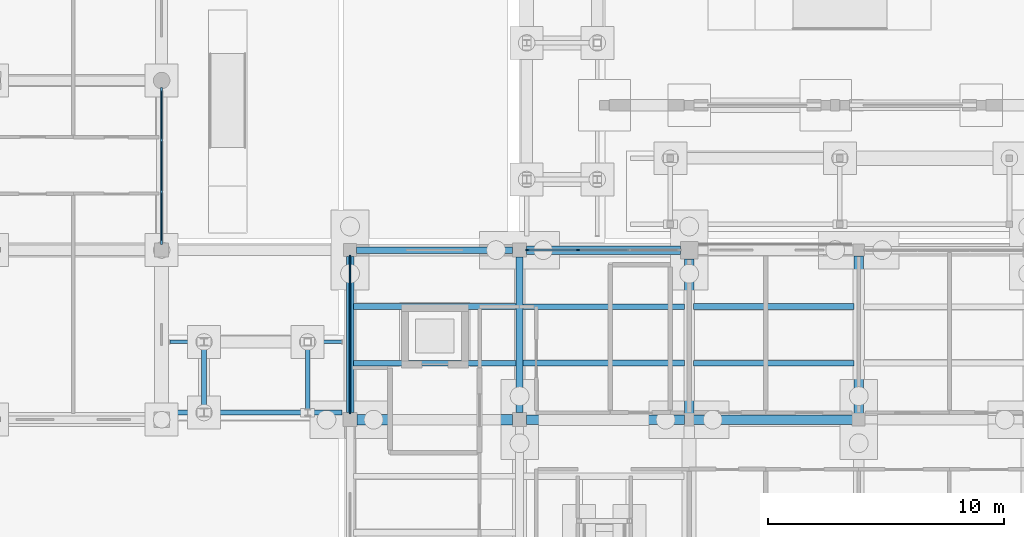
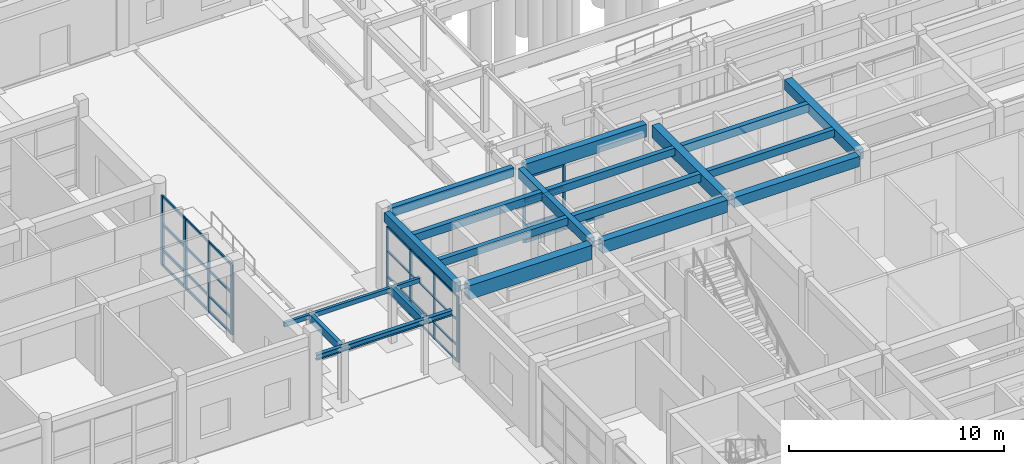
# One storey, part 37 of 143: 39 members, 19 beams, 3 elements without a shape of their own.
"""IFC4 building model written with IfcOpenShell, lengths in metres."""

import ifcopenshell
import ifcopenshell.guid

model = None  # the IFC model being written
_history = None  # IfcOwnerHistory: only IFC2X3 demands one
_inside = {}  # id of a spatial element -> (the spatial element, [elements in it])
_under = {}  # id of a project, library or spatial element -> (it, [spatial elements below it])
_declared = {}  # id of a project -> (the project, [libraries it declares])
_typed = {}  # id of a type object -> (the type object, [elements of that type])
_made_of = {}  # id of a material, layer set ... -> (it, [elements and type objects made of it])


def new_model(schema):
    """Start an empty IFC model of exactly this schema.

    Asked for "IFC4X3", IfcOpenShell would pick the latest addendum, in which some entities
    have other attributes; the version numbers below select the first issue.
    IFC2X3 requires an IfcOwnerHistory on every rooted entity: one is made here for all.
    """
    global model, _history
    if schema == "IFC4X3":
        model = ifcopenshell.file(schema_version=(4, 3, 0, 0))
    else:
        model = ifcopenshell.file(schema=schema)
    _inside.clear()
    _under.clear()
    _declared.clear()
    _typed.clear()
    _made_of.clear()
    _history = None
    if model.schema == "IFC2X3":
        org = make("IfcOrganization", Name="unknown")
        user = make(
            "IfcPersonAndOrganization",
            ThePerson=make("IfcPerson", FamilyName="unknown"),
            TheOrganization=org,
        )
        app = make(
            "IfcApplication",
            ApplicationDeveloper=org,
            Version="unknown",
            ApplicationFullName="unknown",
            ApplicationIdentifier="unknown",
        )
        _history = make(
            "IfcOwnerHistory",
            OwningUser=user,
            OwningApplication=app,
            ChangeAction="ADDED",
            CreationDate=0,
        )
    return model


def make(cls, **values):
    """One entity of the class cls with the attributes given. An attribute that is None is left unset."""
    return model.create_entity(
        cls, **{name: value for name, value in values.items() if value is not None}
    )


def rooted(cls, **values):
    """An entity with a GlobalId (a new one), such as an element, a storey or a relation."""
    return make(cls, GlobalId=ifcopenshell.guid.new(), OwnerHistory=_history, **values)


def si_unit(unit_type, name, prefix=None):
    """IfcSIUnit, for example si_unit("LENGTHUNIT", "METRE", prefix="MILLI")."""
    return make("IfcSIUnit", UnitType=unit_type, Prefix=prefix, Name=name)


def assignment(units):
    """IfcUnitAssignment: the units of a project."""
    return None if units is None else make("IfcUnitAssignment", Units=units)


def point(xyz):
    """IfcCartesianPoint."""
    return None if xyz is None else make("IfcCartesianPoint", Coordinates=xyz)


def direction(xyz):
    """IfcDirection."""
    return None if xyz is None else make("IfcDirection", DirectionRatios=xyz)


def frame(location, z_axis=None, x_axis=None):
    """IfcAxis2Placement3D, a coordinate frame: its origin and axes. An axis left out is left unset."""
    return make(
        "IfcAxis2Placement3D",
        Location=point(location),
        Axis=direction(z_axis),
        RefDirection=direction(x_axis),
    )


def frame_2d(location, x_axis=None):
    """IfcAxis2Placement2D, a coordinate frame in the plane: its origin and x axis."""
    return make(
        "IfcAxis2Placement2D", Location=point(location), RefDirection=direction(x_axis)
    )


def origin():
    """The frame at (0, 0, 0) with its axes left unset."""
    return frame((0.0, 0.0, 0.0))


def origin_2d():
    """The frame at (0, 0) in the plane with its x axis left unset."""
    return frame_2d((0.0, 0.0))


def place(relative_to, where):
    """IfcLocalPlacement: puts the frame where relative to a parent placement (None: the world)."""
    return make(
        "IfcLocalPlacement", PlacementRelTo=relative_to, RelativePlacement=where
    )


def context(
    kind, dimensions, precision=None, world=None, true_north=None, identifier=None
):
    """IfcGeometricRepresentationContext, for example the 3D "Model" context."""
    return make(
        "IfcGeometricRepresentationContext",
        ContextIdentifier=identifier,
        ContextType=kind,
        CoordinateSpaceDimension=dimensions,
        Precision=precision,
        WorldCoordinateSystem=world,
        TrueNorth=true_north,
    )


def subcontext(parent, identifier, kind, view, scale=None):
    """IfcGeometricRepresentationSubContext, for example "Body" below "Model"."""
    return make(
        "IfcGeometricRepresentationSubContext",
        ContextIdentifier=identifier,
        ContextType=kind,
        ParentContext=parent,
        TargetScale=scale,
        TargetView=view,
    )


def project(units=None, contexts=None):
    """IfcProject with its units and contexts."""
    return rooted(
        "IfcProject",
        Name="project",
        RepresentationContexts=contexts,
        UnitsInContext=assignment(units),
    )


def spatial(cls, under=None, at=None, **own):
    """A site, building, storey or space (cls), placed at a placement, below another one or the project."""
    s = rooted(cls, ObjectPlacement=at, **own)
    if under is not None:
        _under.setdefault(under.id(), (under, []))[1].append(s)
    return s


def profile(cls, at=None, kind="AREA", **sizes):
    """A parametric profile (cls). Its sizes go by their IFC names, for example OverallWidth=200.0."""
    return make(cls, ProfileType=kind, Position=at, **sizes)


def rectangle(**sizes):
    """IfcRectangleProfileDef."""
    return profile("IfcRectangleProfileDef", **sizes)


def hollow_rectangle(**sizes):
    """IfcRectangleHollowProfileDef."""
    return profile("IfcRectangleHollowProfileDef", **sizes)


def i_section(**sizes):
    """IfcIShapeProfileDef."""
    return profile("IfcIShapeProfileDef", **sizes)


def extrude(swept, where, along, depth):
    """IfcExtrudedAreaSolid: the profile swept, set in the frame where, extruded along a direction by depth."""
    return make(
        "IfcExtrudedAreaSolid",
        SweptArea=swept,
        Position=where,
        ExtrudedDirection=direction(along),
        Depth=depth,
    )


def shape(context_of_items, identifier, shape_type, items):
    """IfcShapeRepresentation: the items that make up one representation, for example the "Body"."""
    return make(
        "IfcShapeRepresentation",
        ContextOfItems=context_of_items,
        RepresentationIdentifier=identifier,
        RepresentationType=shape_type,
        Items=items,
    )


def material(Name=None, Category=None):
    """IfcMaterial."""
    return make("IfcMaterial", Name=Name, Category=Category)


def material_profile(
    of_material, cross_section, Name=None, Category=None, Priority=None
):
    """IfcMaterialProfile: a cross section and its material."""
    return make(
        "IfcMaterialProfile",
        Name=Name,
        Material=of_material,
        Profile=cross_section,
        Priority=Priority,
        Category=Category,
    )


def profile_set(profiles, Name=None, composite=None):
    """IfcMaterialProfileSet."""
    return make(
        "IfcMaterialProfileSet",
        Name=Name,
        MaterialProfiles=profiles,
        CompositeProfile=composite,
    )


def made_of(thing, what):
    """Note that an element or type object is made of a material, layer set ...; save() writes the relation."""
    if what is not None:
        _made_of.setdefault(what.id(), (what, []))[1].append(thing)
    return thing


def type_object(cls, material=None, **own):
    """A type object (cls), such as IfcWallType, which elements share."""
    return made_of(rooted(cls, **own), material)


def element(
    cls,
    number,
    at=None,
    inside=None,
    cuts=None,
    type_object=None,
    material=None,
    context=None,
    identifier="Body",
    shape_type=None,
    held_by="IfcProductDefinitionShape",
    body=None,
    shapes=None,
    **own,
):
    """One element of the class cls, such as IfcWall. Its Tag is "e" and its number.

    at: its placement. inside: the storey or other place that contains it. cuts: it is an
    opening in that element (IfcRelVoidsElement). A single representation is given by context,
    identifier, shape_type and body (its items); several are given by shapes. held_by: the class
    of the entity that holds the representations. save() writes the other relations.
    """
    e = rooted(cls, Tag="e%d" % number, ObjectPlacement=at, **own)
    if body is not None:
        shapes = [shape(context, identifier, shape_type, body)]
    if shapes is not None:
        e.Representation = make(held_by, Representations=shapes)
    if inside is not None:
        _inside.setdefault(inside.id(), (inside, []))[1].append(e)
    if cuts is not None:
        rooted(
            "IfcRelVoidsElement", RelatingBuildingElement=cuts, RelatedOpeningElement=e
        )
    if type_object is not None:
        _typed.setdefault(type_object.id(), (type_object, []))[1].append(e)
    return made_of(e, material)


def aggregate(whole, parts):
    """IfcRelAggregates: a whole, such as a stair, and the parts it consists of."""
    return rooted("IfcRelAggregates", RelatingObject=whole, RelatedObjects=parts)


def save(model, path):
    """Write the relations noted so far, then the file.

    IfcRelAggregates (storeys below a building ...), IfcRelContainedInSpatialStructure (elements
    in a storey), IfcRelDefinesByType, IfcRelAssociatesMaterial and IfcRelDeclares: one each for
    every whole, place, type object, material and project.
    """
    for whole, parts in _under.values():
        aggregate(whole, parts)
    for where, things in _inside.values():
        rooted(
            "IfcRelContainedInSpatialStructure",
            RelatedElements=things,
            RelatingStructure=where,
        )
    for kind, things in _typed.values():
        rooted("IfcRelDefinesByType", RelatedObjects=things, RelatingType=kind)
    for what, things in _made_of.values():
        rooted("IfcRelAssociatesMaterial", RelatedObjects=things, RelatingMaterial=what)
    for by, libraries in _declared.values():
        rooted("IfcRelDeclares", RelatingContext=by, RelatedDefinitions=libraries)
    model.write(path)


model = new_model("IFC4")

# Units and contexts
model_context = context("Model", 3, precision=1e-05, world=origin(), true_north=direction((0.0, 1.0)))
body_context = subcontext(model_context, "Body", "Model", "MODEL_VIEW")
ifc_project = project(units=[si_unit("LENGTHUNIT", "METRE"), si_unit("AREAUNIT", "SQUARE_METRE"), si_unit("VOLUMEUNIT", "CUBIC_METRE"), si_unit("PLANEANGLEUNIT", "RADIAN"), si_unit("MASSUNIT", "GRAM", prefix="KILO")], contexts=[model_context])

# Site, building, storey
site_placement = place(None, origin())
site = spatial("IfcSite", under=ifc_project, at=site_placement, CompositionType="ELEMENT")
building_placement = place(site_placement, origin())
building = spatial("IfcBuilding", under=site, at=building_placement, Name="Steenspoor Specialist Clinic", CompositionType="ELEMENT")
storey_placement = place(building_placement, origin())
storey = spatial("IfcBuildingStorey", under=building, at=storey_placement, Name="L00", CompositionType="ELEMENT", Elevation=0.0)

# Beams
ifc_material_1 = material(Name="Glulam GL28h", Category="wood")
ifc_material_profile_1 = material_profile(ifc_material_1, rectangle(XDim=0.199951171875, YDim=0.43994140625, at=origin_2d()), Name="GL28H-200X440")
ifc_profile_set_1 = profile_set([ifc_material_profile_1], Name="Glulam GL28h")
beam_type_1 = type_object("IfcBeamType", Name="BM-GL-200X440", PredefinedType="BEAM", material=ifc_profile_set_1)
for number, where, z_axis, x_axis, name in (
    (1, (39.0, 35.030029296875, 2.9150390625), (0.0, 1.0, 0.0), (-1.0, 0.0, 0.0), "BM-WK3-T-390"),
    (2, (43.39990234375, 35.030029296875, 2.9150390625), (0.0, 1.0, 0.0), (-1.0, 0.0, 0.0), "BM-WK3-T-434"),
):
    element("IfcBeam", number, at=place(storey_placement, frame(where, z_axis=z_axis, x_axis=x_axis)), inside=storey, type_object=beam_type_1, Name=name, PredefinedType="BEAM", context=body_context, shape_type="SweptSolid", body=[
        extrude(rectangle(XDim=0.199951171875, YDim=0.43994140625, at=origin_2d()), origin(), (0.0, 0.0, 1.0), 2.840087890625),
    ])
ifc_material_2 = material(Name="Concrete C35/45", Category="concrete")
ifc_material_profile_2 = material_profile(ifc_material_2, rectangle(XDim=0.300048828125, YDim=0.550048828125, at=origin_2d()), Name="RC-BM-300X550")
ifc_profile_set_2 = profile_set([ifc_material_profile_2], Name="Concrete C35/45")
beam_type_2 = type_object("IfcBeamType", Name="BM-RC-300X550", PredefinedType="BEAM", material=ifc_profile_set_2)
beam_1_placement = place(storey_placement, frame((52.39990234375, 34.945068359375, 4.27490234375), z_axis=(0.0, 1.0, 0.0), x_axis=(-1.0, 0.0, 0.0)))
element("IfcBeam", 3, at=beam_1_placement, inside=storey, type_object=beam_type_2, Name="BM-V1-L00-Y0045", PredefinedType="BEAM", context=body_context, shape_type="SweptSolid", body=[
    extrude(rectangle(XDim=0.300048828125, YDim=0.550048828125, at=origin_2d()), origin(), (0.0, 0.0, 1.0), 6.60986328125),
])
ifc_material_profile_3 = material_profile(ifc_material_2, rectangle(XDim=0.39990234375, YDim=0.580078125, at=origin_2d()), Name="RC-BM-400X580")
ifc_profile_set_3 = profile_set([ifc_material_profile_3], Name="Concrete C35/45")
beam_type_3 = type_object("IfcBeamType", Name="BM-RC-400X580", PredefinedType="BEAM", material=ifc_profile_set_3)
beam_2_placement = place(storey_placement, frame((59.794921875, 34.64990234375, 4.260009765625), z_axis=(1.0, 0.0, 0.0), x_axis=(0.0, 1.0, 0.0)))
element("IfcBeam", 4, at=beam_2_placement, inside=storey, type_object=beam_type_3, Name="BM-V1-L00-X0022", PredefinedType="BEAM", context=body_context, shape_type="SweptSolid", body=[
    extrude(rectangle(XDim=0.39990234375, YDim=0.580078125, at=origin_2d()), origin(), (0.0, 0.0, 1.0), 6.735107421875),
])
beam_3_placement = place(storey_placement, frame((66.800048828125, 34.919921875, 4.260009765625), z_axis=(0.0, 1.0, 0.0), x_axis=(-1.0, 0.0, 0.0)))
element("IfcBeam", 5, at=beam_3_placement, inside=storey, type_object=beam_type_3, Name="BM-V1-L00-Y0051", PredefinedType="BEAM", context=body_context, shape_type="SweptSolid", body=[
    extrude(rectangle(XDim=0.39990234375, YDim=0.580078125, at=origin_2d()), origin(), (0.0, 0.0, 1.0), 6.68505859375),
])
ifc_material_profile_4 = material_profile(ifc_material_2, rectangle(XDim=0.39990234375, YDim=0.699951171875, at=origin_2d()), Name="RC-BM-400X700")
ifc_profile_set_4 = profile_set([ifc_material_profile_4], Name="Concrete C35/45")
beam_type_4 = type_object("IfcBeamType", Name="BM-RC-400X700", PredefinedType="BEAM", material=ifc_profile_set_4)
beam_4_placement = place(storey_placement, frame((52.695068359375, 34.64990234375, 4.199951171875), z_axis=(1.0, 0.0, 0.0), x_axis=(0.0, 1.0, 0.0)))
element("IfcBeam", 6, at=beam_4_placement, inside=storey, type_object=beam_type_4, Name="BM-V1-L00-X0021", PredefinedType="BEAM", context=body_context, shape_type="SweptSolid", body=[
    extrude(rectangle(XDim=0.39990234375, YDim=0.699951171875, at=origin_2d()), origin(), (0.0, 0.0, 1.0), 6.7099609375),
])
beam_5_placement = place(storey_placement, frame((59.60009765625, 34.919921875, 4.199951171875), z_axis=(0.0, 1.0, 0.0), x_axis=(-1.0, 0.0, 0.0)))
element("IfcBeam", 7, at=beam_5_placement, inside=storey, type_object=beam_type_4, Name="BM-V1-L00-Y0049", PredefinedType="BEAM", context=body_context, shape_type="SweptSolid", body=[
    extrude(rectangle(XDim=0.39990234375, YDim=0.699951171875, at=origin_2d()), origin(), (0.0, 0.0, 1.0), 6.56005859375),
])
ifc_material_profile_5 = material_profile(ifc_material_2, rectangle(XDim=0.449951171875, YDim=0.800048828125, at=origin_2d()), Name="RC-BM-450X800")
ifc_profile_set_5 = profile_set([ifc_material_profile_5], Name="Concrete C35/45")
beam_type_5 = type_object("IfcBeamType", Name="BM-RC-450X800", PredefinedType="BEAM", material=ifc_profile_set_5)
beam_6_placement = place(storey_placement, frame((45.4951171875, 34.64990234375, 4.14990234375), z_axis=(1.0, 0.0, 0.0), x_axis=(0.0, 1.0, 0.0)))
element("IfcBeam", 8, at=beam_6_placement, inside=storey, type_object=beam_type_5, Name="BM-V1-L00-X0020", PredefinedType="BEAM", context=body_context, shape_type="SweptSolid", body=[
    extrude(rectangle(XDim=0.449951171875, YDim=0.800048828125, at=origin_2d()), origin(), (0.0, 0.0, 1.0), 6.60986328125),
])
ifc_material_3 = material(Name="Steel A500 Grade C", Category="steel")
ifc_material_profile_6 = material_profile(ifc_material_3, hollow_rectangle(XDim=0.15234375, YDim=0.25390625, WallThickness=0.0087890625, at=origin_2d()), Name="HSS254X152X9.5")
ifc_profile_set_6 = profile_set([ifc_material_profile_6], Name="Steel A500 Grade C")
beam_type_6 = type_object("IfcBeamType", Name="BM-ST-HSS254", PredefinedType="SPANDREL", material=ifc_profile_set_6)
beam_7_placement = place(storey_placement, frame((37.550048828125, 37.949951171875, 3.008056640625), z_axis=(1.0, 0.0, 0.0), x_axis=(0.0, 1.0, 0.0)))
element("IfcBeam", 9, at=beam_7_placement, inside=storey, type_object=beam_type_6, Name="BM-WK3-CONT-1", PredefinedType="SPANDREL", context=body_context, shape_type="SweptSolid", body=[
    extrude(hollow_rectangle(XDim=0.15234375, YDim=0.25390625, WallThickness=0.0087890625, at=origin_2d()), origin(), (0.0, 0.0, 1.0), 7.300048828125),
])
ifc_material_4 = material(Name="Steel A992 Grade 50", Category="steel")
ifc_material_profile_7 = material_profile(ifc_material_4, i_section(OverallWidth=0.205078125, OverallDepth=0.31005859375, WebThickness=0.009521484375, FlangeThickness=0.016357421875, at=origin_2d()), Name="W310X74")
ifc_profile_set_7 = profile_set([ifc_material_profile_7], Name="Steel A992 Grade 50")
beam_type_7 = type_object("IfcBeamType", Name="BM-ST-W310X74", PredefinedType="SPANDREL", material=ifc_profile_set_7)
beam_8_placement = place(storey_placement, frame((37.550048828125, 34.949951171875, 2.97998046875), z_axis=(1.0, 0.0, 0.0), x_axis=(0.0, 1.0, 0.0)))
element("IfcBeam", 10, at=beam_8_placement, inside=storey, type_object=beam_type_7, Name="BM-WK3-CONT-0", PredefinedType="SPANDREL", context=body_context, shape_type="SweptSolid", body=[
    extrude(i_section(OverallWidth=0.205078125, OverallDepth=0.31005859375, WebThickness=0.009521484375, FlangeThickness=0.016357421875, at=origin_2d()), origin(), (0.0, 0.0, 1.0), 7.300048828125),
])

# Curtain wall, members
ifc_material_5 = material(Name="Thermally broken aluminium and low-emissivity glass", Category="aluminium")
curtain_wall_type_1 = type_object("IfcCurtainWallType", Name="CW-TYP-660X355", PredefinedType="USERDEFINED", material=ifc_material_5)
curtain_wall_1_placement = place(storey_placement, origin())
curtain_wall_1 = element("IfcCurtainWall", 11, at=curtain_wall_1_placement, inside=storey, type_object=curtain_wall_type_1, Name="Unitised Curtain Wall CW-V1-L00-009", ObjectType="UNITISED GLAZING", PredefinedType="USERDEFINED")
ifc_material_6 = material(Name="Thermally broken aluminium 6063-T6", Category="aluminium")
ifc_material_profile_8 = material_profile(ifc_material_6, rectangle(XDim=0.06494140625, YDim=0.14990234375, at=origin_2d()), Name="CWM-65X150")
ifc_profile_set_8 = profile_set([ifc_material_profile_8], Name="Thermally broken aluminium 6063-T6")
member_type_1 = type_object("IfcMemberType", Name="CW-MULL-65X150", PredefinedType="MULLION", material=ifc_profile_set_8)
member_1_placement = place(storey_placement, frame((52.732421875, 41.85009765625, 0.0), z_axis=(0.0, 0.0, 1.0), x_axis=(0.0, 1.0, 0.0)))
member_1 = element("IfcMember", 12, at=member_1_placement, type_object=member_type_1, Name="CW-09 mullion 1", PredefinedType="MULLION", context=body_context, shape_type="SweptSolid", body=[
    extrude(rectangle(XDim=0.06494140625, YDim=0.14990234375, at=origin_2d()), origin(), (0.0, 0.0, 1.0), 3.72998046875),
])
member_2_placement = place(storey_placement, frame((54.875, 41.85009765625, 0.0), z_axis=(0.0, 0.0, 1.0), x_axis=(0.0, 1.0, 0.0)))
member_2 = element("IfcMember", 13, at=member_2_placement, type_object=member_type_1, Name="CW-09 mullion 2", PredefinedType="MULLION", context=body_context, shape_type="SweptSolid", body=[
    extrude(rectangle(XDim=0.06494140625, YDim=0.14990234375, at=origin_2d()), origin(), (0.0, 0.0, 1.0), 3.72998046875),
])

curtain_wall_type_2 = type_object("IfcCurtainWallType", Name="CW-L00-240X415", PredefinedType="USERDEFINED", material=ifc_material_5)
curtain_wall_2_placement = place(storey_placement, origin())
curtain_wall_2 = element("IfcCurtainWall", 14, at=curtain_wall_2_placement, inside=storey, type_object=curtain_wall_type_2, Name="Unitised Curtain Wall CW-V1-L00-008", ObjectType="UNITISED GLAZING", PredefinedType="USERDEFINED")
ifc_material_profile_9 = material_profile(ifc_material_6, rectangle(XDim=0.070068359375, YDim=0.1650390625, at=origin_2d()), Name="CWM-70X165")
ifc_profile_set_9 = profile_set([ifc_material_profile_9], Name="Thermally broken aluminium 6063-T6")
member_type_2 = type_object("IfcMemberType", Name="CW-MULL-70X165", PredefinedType="MULLION", material=ifc_profile_set_9)
member_3_placement = place(storey_placement, frame((45.199951171875, 34.985107421875, 0.0), z_axis=(0.0, 0.0, 1.0), x_axis=(-1.0, 0.0, 0.0)))
member_3 = element("IfcMember", 15, at=member_3_placement, type_object=member_type_2, Name="CW-08 mullion 1", PredefinedType="MULLION", context=body_context, shape_type="SweptSolid", body=[
    extrude(rectangle(XDim=0.070068359375, YDim=0.1650390625, at=origin_2d()), origin(), (0.0, 0.0, 1.0), 3.72998046875),
])
member_4_placement = place(storey_placement, frame((45.199951171875, 37.158447265625, 0.0), z_axis=(0.0, 0.0, 1.0), x_axis=(-1.0, 0.0, 0.0)))
member_4 = element("IfcMember", 16, at=member_4_placement, type_object=member_type_2, Name="CW-08 mullion 2", PredefinedType="MULLION", context=body_context, shape_type="SweptSolid", body=[
    extrude(rectangle(XDim=0.070068359375, YDim=0.1650390625, at=origin_2d()), origin(), (0.0, 0.0, 1.0), 3.72998046875),
])
member_5_placement = place(storey_placement, frame((45.199951171875, 39.36669921875, 0.0), z_axis=(0.0, 0.0, 1.0), x_axis=(-1.0, 0.0, 0.0)))
member_5 = element("IfcMember", 17, at=member_5_placement, type_object=member_type_2, Name="CW-08 mullion 3", PredefinedType="MULLION", context=body_context, shape_type="SweptSolid", body=[
    extrude(rectangle(XDim=0.070068359375, YDim=0.1650390625, at=origin_2d()), origin(), (0.0, 0.0, 1.0), 3.72998046875),
])
member_6_placement = place(storey_placement, frame((45.199951171875, 41.5400390625, 0.0), z_axis=(0.0, 0.0, 1.0), x_axis=(-1.0, 0.0, 0.0)))
member_6 = element("IfcMember", 18, at=member_6_placement, type_object=member_type_2, Name="CW-08 mullion 4", PredefinedType="MULLION", context=body_context, shape_type="SweptSolid", body=[
    extrude(rectangle(XDim=0.070068359375, YDim=0.1650390625, at=origin_2d()), origin(), (0.0, 0.0, 1.0), 3.72998046875),
])

curtain_wall_type_3 = type_object("IfcCurtainWallType", Name="CW-SCR-660X320", PredefinedType="USERDEFINED", material=ifc_material_5)
curtain_wall_3_placement = place(storey_placement, origin())
curtain_wall_3 = element("IfcCurtainWall", 19, at=curtain_wall_3_placement, inside=storey, type_object=curtain_wall_type_3, Name="Unitised Curtain Wall CW-V3-L00-041", ObjectType="UNITISED GLAZING", PredefinedType="USERDEFINED")
ifc_material_profile_10 = material_profile(ifc_material_6, rectangle(XDim=0.090087890625, YDim=0.199951171875, at=origin_2d()), Name="CWM-90X200")
ifc_profile_set_10 = profile_set([ifc_material_profile_10], Name="Thermally broken aluminium 6063-T6")
member_type_3 = type_object("IfcMemberType", Name="CW-MULL-90X200", PredefinedType="MULLION", material=ifc_profile_set_10)
member_7_placement = place(storey_placement, frame((37.199951171875, 48.655029296875, 0.0), z_axis=(0.0, 0.0, 1.0), x_axis=(1.0, 0.0, 0.0)))
member_7 = element("IfcMember", 20, at=member_7_placement, type_object=member_type_3, Name="CW-17 mullion 1", PredefinedType="MULLION", context=body_context, shape_type="SweptSolid", body=[
    extrude(rectangle(XDim=0.090087890625, YDim=0.199951171875, at=origin_2d()), origin(), (0.0, 0.0, 1.0), 3.97998046875),
])
member_8_placement = place(storey_placement, frame((37.199951171875, 46.5166015625, 0.0), z_axis=(0.0, 0.0, 1.0), x_axis=(1.0, 0.0, 0.0)))
member_8 = element("IfcMember", 21, at=member_8_placement, type_object=member_type_3, Name="CW-17 mullion 2", PredefinedType="MULLION", context=body_context, shape_type="SweptSolid", body=[
    extrude(rectangle(XDim=0.090087890625, YDim=0.199951171875, at=origin_2d()), origin(), (0.0, 0.0, 1.0), 3.97998046875),
])
member_9_placement = place(storey_placement, frame((37.199951171875, 44.333251953125, 0.0), z_axis=(0.0, 0.0, 1.0), x_axis=(1.0, 0.0, 0.0)))
member_9 = element("IfcMember", 22, at=member_9_placement, type_object=member_type_3, Name="CW-17 mullion 3", PredefinedType="MULLION", context=body_context, shape_type="SweptSolid", body=[
    extrude(rectangle(XDim=0.090087890625, YDim=0.199951171875, at=origin_2d()), origin(), (0.0, 0.0, 1.0), 3.97998046875),
])
member_10_placement = place(storey_placement, frame((37.199951171875, 42.195068359375, 0.0), z_axis=(0.0, 0.0, 1.0), x_axis=(1.0, 0.0, 0.0)))
member_10 = element("IfcMember", 23, at=member_10_placement, type_object=member_type_3, Name="CW-17 mullion 4", PredefinedType="MULLION", context=body_context, shape_type="SweptSolid", body=[
    extrude(rectangle(XDim=0.090087890625, YDim=0.199951171875, at=origin_2d()), origin(), (0.0, 0.0, 1.0), 3.97998046875),
])

# Member
ifc_material_profile_11 = material_profile(ifc_material_6, rectangle(XDim=0.06005859375, YDim=0.114990234375, at=origin_2d()), Name="CWT-60X115")
ifc_profile_set_11 = profile_set([ifc_material_profile_11], Name="Thermally broken aluminium 6063-T6")
member_type_4 = type_object("IfcMemberType", Name="CW-TRAN-60X115", PredefinedType="USERDEFINED", material=ifc_profile_set_11)
member_11_placement = place(storey_placement, frame((45.199951171875, 35.02001953125, 0.030029296875), z_axis=(0.0, 1.0, 0.0), x_axis=(-1.0, 0.0, 0.0)))
member_11 = element("IfcMember", 24, at=member_11_placement, type_object=member_type_4, Name="CW-08 transom 1.1", ObjectType="TRANSOM", PredefinedType="USERDEFINED", context=body_context, shape_type="SweptSolid", body=[
    extrude(rectangle(XDim=0.06005859375, YDim=0.114990234375, at=origin_2d()), origin(), (0.0, 0.0, 1.0), 2.103271484375),
])

member_12_placement = place(storey_placement, frame((45.199951171875, 35.02001953125, 0.89990234375), z_axis=(0.0, 1.0, 0.0), x_axis=(-1.0, 0.0, 0.0)))
member_12 = element("IfcMember", 25, at=member_12_placement, type_object=member_type_4, Name="CW-08 transom 1.2", ObjectType="TRANSOM", PredefinedType="USERDEFINED", context=body_context, shape_type="SweptSolid", body=[
    extrude(rectangle(XDim=0.06005859375, YDim=0.114990234375, at=origin_2d()), origin(), (0.0, 0.0, 1.0), 2.103271484375),
])

member_13_placement = place(storey_placement, frame((45.199951171875, 35.02001953125, 2.35009765625), z_axis=(0.0, 1.0, 0.0), x_axis=(-1.0, 0.0, 0.0)))
member_13 = element("IfcMember", 26, at=member_13_placement, type_object=member_type_4, Name="CW-08 transom 1.3", ObjectType="TRANSOM", PredefinedType="USERDEFINED", context=body_context, shape_type="SweptSolid", body=[
    extrude(rectangle(XDim=0.06005859375, YDim=0.114990234375, at=origin_2d()), origin(), (0.0, 0.0, 1.0), 2.103271484375),
])

member_14_placement = place(storey_placement, frame((45.199951171875, 35.02001953125, 3.699951171875), z_axis=(0.0, 1.0, 0.0), x_axis=(-1.0, 0.0, 0.0)))
member_14 = element("IfcMember", 27, at=member_14_placement, type_object=member_type_4, Name="CW-08 transom 1.4", ObjectType="TRANSOM", PredefinedType="USERDEFINED", context=body_context, shape_type="SweptSolid", body=[
    extrude(rectangle(XDim=0.06005859375, YDim=0.114990234375, at=origin_2d()), origin(), (0.0, 0.0, 1.0), 2.103271484375),
])

member_15_placement = place(storey_placement, frame((45.199951171875, 37.193359375, 0.030029296875), z_axis=(0.0, 1.0, 0.0), x_axis=(-1.0, 0.0, 0.0)))
member_15 = element("IfcMember", 28, at=member_15_placement, type_object=member_type_4, Name="CW-08 transom 2.1", ObjectType="TRANSOM", PredefinedType="USERDEFINED", context=body_context, shape_type="SweptSolid", body=[
    extrude(rectangle(XDim=0.06005859375, YDim=0.114990234375, at=origin_2d()), origin(), (0.0, 0.0, 1.0), 2.138427734375),
])

member_16_placement = place(storey_placement, frame((45.199951171875, 37.193359375, 0.89990234375), z_axis=(0.0, 1.0, 0.0), x_axis=(-1.0, 0.0, 0.0)))
member_16 = element("IfcMember", 29, at=member_16_placement, type_object=member_type_4, Name="CW-08 transom 2.2", ObjectType="TRANSOM", PredefinedType="USERDEFINED", context=body_context, shape_type="SweptSolid", body=[
    extrude(rectangle(XDim=0.06005859375, YDim=0.114990234375, at=origin_2d()), origin(), (0.0, 0.0, 1.0), 2.138427734375),
])

member_17_placement = place(storey_placement, frame((45.199951171875, 37.193359375, 2.35009765625), z_axis=(0.0, 1.0, 0.0), x_axis=(-1.0, 0.0, 0.0)))
member_17 = element("IfcMember", 30, at=member_17_placement, type_object=member_type_4, Name="CW-08 transom 2.3", ObjectType="TRANSOM", PredefinedType="USERDEFINED", context=body_context, shape_type="SweptSolid", body=[
    extrude(rectangle(XDim=0.06005859375, YDim=0.114990234375, at=origin_2d()), origin(), (0.0, 0.0, 1.0), 2.138427734375),
])

member_18_placement = place(storey_placement, frame((45.199951171875, 37.193359375, 3.699951171875), z_axis=(0.0, 1.0, 0.0), x_axis=(-1.0, 0.0, 0.0)))
member_18 = element("IfcMember", 31, at=member_18_placement, type_object=member_type_4, Name="CW-08 transom 2.4", ObjectType="TRANSOM", PredefinedType="USERDEFINED", context=body_context, shape_type="SweptSolid", body=[
    extrude(rectangle(XDim=0.06005859375, YDim=0.114990234375, at=origin_2d()), origin(), (0.0, 0.0, 1.0), 2.138427734375),
])

member_19_placement = place(storey_placement, frame((45.199951171875, 39.401611328125, 0.030029296875), z_axis=(0.0, 1.0, 0.0), x_axis=(-1.0, 0.0, 0.0)))
member_19 = element("IfcMember", 32, at=member_19_placement, type_object=member_type_4, Name="CW-08 transom 3.1", ObjectType="TRANSOM", PredefinedType="USERDEFINED", context=body_context, shape_type="SweptSolid", body=[
    extrude(rectangle(XDim=0.06005859375, YDim=0.114990234375, at=origin_2d()), origin(), (0.0, 0.0, 1.0), 2.103271484375),
])

member_20_placement = place(storey_placement, frame((45.199951171875, 39.401611328125, 0.89990234375), z_axis=(0.0, 1.0, 0.0), x_axis=(-1.0, 0.0, 0.0)))
member_20 = element("IfcMember", 33, at=member_20_placement, type_object=member_type_4, Name="CW-08 transom 3.2", ObjectType="TRANSOM", PredefinedType="USERDEFINED", context=body_context, shape_type="SweptSolid", body=[
    extrude(rectangle(XDim=0.06005859375, YDim=0.114990234375, at=origin_2d()), origin(), (0.0, 0.0, 1.0), 2.103271484375),
])

member_21_placement = place(storey_placement, frame((45.199951171875, 39.401611328125, 2.35009765625), z_axis=(0.0, 1.0, 0.0), x_axis=(-1.0, 0.0, 0.0)))
member_21 = element("IfcMember", 34, at=member_21_placement, type_object=member_type_4, Name="CW-08 transom 3.3", ObjectType="TRANSOM", PredefinedType="USERDEFINED", context=body_context, shape_type="SweptSolid", body=[
    extrude(rectangle(XDim=0.06005859375, YDim=0.114990234375, at=origin_2d()), origin(), (0.0, 0.0, 1.0), 2.103271484375),
])

member_22_placement = place(storey_placement, frame((45.199951171875, 39.401611328125, 3.699951171875), z_axis=(0.0, 1.0, 0.0), x_axis=(-1.0, 0.0, 0.0)))
member_22 = element("IfcMember", 35, at=member_22_placement, type_object=member_type_4, Name="CW-08 transom 3.4", ObjectType="TRANSOM", PredefinedType="USERDEFINED", context=body_context, shape_type="SweptSolid", body=[
    extrude(rectangle(XDim=0.06005859375, YDim=0.114990234375, at=origin_2d()), origin(), (0.0, 0.0, 1.0), 2.103271484375),
])

aggregate(curtain_wall_2, [member_3, member_4, member_5, member_6, member_11, member_12, member_13, member_14, member_15, member_16, member_17, member_18, member_19, member_20, member_21, member_22])

ifc_material_profile_12 = material_profile(ifc_material_6, rectangle(XDim=0.070068359375, YDim=0.14501953125, at=origin_2d()), Name="CWT-70X145")
ifc_profile_set_12 = profile_set([ifc_material_profile_12], Name="Thermally broken aluminium 6063-T6")
member_type_5 = type_object("IfcMemberType", Name="CW-TRAN-70X145", PredefinedType="USERDEFINED", material=ifc_profile_set_12)
member_23_placement = place(storey_placement, frame((37.199951171875, 48.610107421875, 0.034912109375), z_axis=(0.0, -1.0, 0.0), x_axis=(1.0, 0.0, 0.0)))
member_23 = element("IfcMember", 36, at=member_23_placement, type_object=member_type_5, Name="CW-17 transom 1.1", ObjectType="TRANSOM", PredefinedType="USERDEFINED", context=body_context, shape_type="SweptSolid", body=[
    extrude(rectangle(XDim=0.070068359375, YDim=0.14501953125, at=origin_2d()), origin(), (0.0, 0.0, 1.0), 2.04833984375),
])

member_24_placement = place(storey_placement, frame((37.199951171875, 48.610107421875, 0.89990234375), z_axis=(0.0, -1.0, 0.0), x_axis=(1.0, 0.0, 0.0)))
member_24 = element("IfcMember", 37, at=member_24_placement, type_object=member_type_5, Name="CW-17 transom 1.2", ObjectType="TRANSOM", PredefinedType="USERDEFINED", context=body_context, shape_type="SweptSolid", body=[
    extrude(rectangle(XDim=0.070068359375, YDim=0.14501953125, at=origin_2d()), origin(), (0.0, 0.0, 1.0), 2.04833984375),
])

member_25_placement = place(storey_placement, frame((37.199951171875, 48.610107421875, 2.35009765625), z_axis=(0.0, -1.0, 0.0), x_axis=(1.0, 0.0, 0.0)))
member_25 = element("IfcMember", 38, at=member_25_placement, type_object=member_type_5, Name="CW-17 transom 1.3", ObjectType="TRANSOM", PredefinedType="USERDEFINED", context=body_context, shape_type="SweptSolid", body=[
    extrude(rectangle(XDim=0.070068359375, YDim=0.14501953125, at=origin_2d()), origin(), (0.0, 0.0, 1.0), 2.04833984375),
])

member_26_placement = place(storey_placement, frame((37.199951171875, 48.610107421875, 3.945068359375), z_axis=(0.0, -1.0, 0.0), x_axis=(1.0, 0.0, 0.0)))
member_26 = element("IfcMember", 39, at=member_26_placement, type_object=member_type_5, Name="CW-17 transom 1.4", ObjectType="TRANSOM", PredefinedType="USERDEFINED", context=body_context, shape_type="SweptSolid", body=[
    extrude(rectangle(XDim=0.070068359375, YDim=0.14501953125, at=origin_2d()), origin(), (0.0, 0.0, 1.0), 2.04833984375),
])

member_27_placement = place(storey_placement, frame((37.199951171875, 46.4716796875, 0.034912109375), z_axis=(0.0, -1.0, 0.0), x_axis=(1.0, 0.0, 0.0)))
member_27 = element("IfcMember", 40, at=member_27_placement, type_object=member_type_5, Name="CW-17 transom 2.1", ObjectType="TRANSOM", PredefinedType="USERDEFINED", context=body_context, shape_type="SweptSolid", body=[
    extrude(rectangle(XDim=0.070068359375, YDim=0.14501953125, at=origin_2d()), origin(), (0.0, 0.0, 1.0), 2.09326171875),
])

member_28_placement = place(storey_placement, frame((37.199951171875, 46.4716796875, 0.89990234375), z_axis=(0.0, -1.0, 0.0), x_axis=(1.0, 0.0, 0.0)))
member_28 = element("IfcMember", 41, at=member_28_placement, type_object=member_type_5, Name="CW-17 transom 2.2", ObjectType="TRANSOM", PredefinedType="USERDEFINED", context=body_context, shape_type="SweptSolid", body=[
    extrude(rectangle(XDim=0.070068359375, YDim=0.14501953125, at=origin_2d()), origin(), (0.0, 0.0, 1.0), 2.09326171875),
])

member_29_placement = place(storey_placement, frame((37.199951171875, 46.4716796875, 2.35009765625), z_axis=(0.0, -1.0, 0.0), x_axis=(1.0, 0.0, 0.0)))
member_29 = element("IfcMember", 42, at=member_29_placement, type_object=member_type_5, Name="CW-17 transom 2.3", ObjectType="TRANSOM", PredefinedType="USERDEFINED", context=body_context, shape_type="SweptSolid", body=[
    extrude(rectangle(XDim=0.070068359375, YDim=0.14501953125, at=origin_2d()), origin(), (0.0, 0.0, 1.0), 2.09326171875),
])

member_30_placement = place(storey_placement, frame((37.199951171875, 46.4716796875, 3.945068359375), z_axis=(0.0, -1.0, 0.0), x_axis=(1.0, 0.0, 0.0)))
member_30 = element("IfcMember", 43, at=member_30_placement, type_object=member_type_5, Name="CW-17 transom 2.4", ObjectType="TRANSOM", PredefinedType="USERDEFINED", context=body_context, shape_type="SweptSolid", body=[
    extrude(rectangle(XDim=0.070068359375, YDim=0.14501953125, at=origin_2d()), origin(), (0.0, 0.0, 1.0), 2.09326171875),
])

member_31_placement = place(storey_placement, frame((37.199951171875, 44.288330078125, 0.034912109375), z_axis=(0.0, -1.0, 0.0), x_axis=(1.0, 0.0, 0.0)))
member_31 = element("IfcMember", 44, at=member_31_placement, type_object=member_type_5, Name="CW-17 transom 3.1", ObjectType="TRANSOM", PredefinedType="USERDEFINED", context=body_context, shape_type="SweptSolid", body=[
    extrude(rectangle(XDim=0.070068359375, YDim=0.14501953125, at=origin_2d()), origin(), (0.0, 0.0, 1.0), 2.04833984375),
])

member_32_placement = place(storey_placement, frame((37.199951171875, 44.288330078125, 0.89990234375), z_axis=(0.0, -1.0, 0.0), x_axis=(1.0, 0.0, 0.0)))
member_32 = element("IfcMember", 45, at=member_32_placement, type_object=member_type_5, Name="CW-17 transom 3.2", ObjectType="TRANSOM", PredefinedType="USERDEFINED", context=body_context, shape_type="SweptSolid", body=[
    extrude(rectangle(XDim=0.070068359375, YDim=0.14501953125, at=origin_2d()), origin(), (0.0, 0.0, 1.0), 2.04833984375),
])

member_33_placement = place(storey_placement, frame((37.199951171875, 44.288330078125, 2.35009765625), z_axis=(0.0, -1.0, 0.0), x_axis=(1.0, 0.0, 0.0)))
member_33 = element("IfcMember", 46, at=member_33_placement, type_object=member_type_5, Name="CW-17 transom 3.3", ObjectType="TRANSOM", PredefinedType="USERDEFINED", context=body_context, shape_type="SweptSolid", body=[
    extrude(rectangle(XDim=0.070068359375, YDim=0.14501953125, at=origin_2d()), origin(), (0.0, 0.0, 1.0), 2.04833984375),
])

member_34_placement = place(storey_placement, frame((37.199951171875, 44.288330078125, 3.945068359375), z_axis=(0.0, -1.0, 0.0), x_axis=(1.0, 0.0, 0.0)))
member_34 = element("IfcMember", 47, at=member_34_placement, type_object=member_type_5, Name="CW-17 transom 3.4", ObjectType="TRANSOM", PredefinedType="USERDEFINED", context=body_context, shape_type="SweptSolid", body=[
    extrude(rectangle(XDim=0.070068359375, YDim=0.14501953125, at=origin_2d()), origin(), (0.0, 0.0, 1.0), 2.04833984375),
])

aggregate(curtain_wall_3, [member_7, member_8, member_9, member_10, member_23, member_24, member_25, member_26, member_27, member_28, member_29, member_30, member_31, member_32, member_33, member_34])

ifc_material_profile_13 = material_profile(ifc_material_6, rectangle(XDim=0.090087890625, YDim=0.175048828125, at=origin_2d()), Name="CWT-90X175")
ifc_profile_set_13 = profile_set([ifc_material_profile_13], Name="Thermally broken aluminium 6063-T6")
member_type_6 = type_object("IfcMemberType", Name="CW-TRAN-90X175", PredefinedType="USERDEFINED", material=ifc_profile_set_13)
member_35_placement = place(storey_placement, frame((52.764892578125, 41.85009765625, 0.044921875), z_axis=(1.0, 0.0, 0.0), x_axis=(0.0, 1.0, 0.0)))
member_35 = element("IfcMember", 48, at=member_35_placement, type_object=member_type_6, Name="CW-09 transom 1.1", ObjectType="TRANSOM", PredefinedType="USERDEFINED", context=body_context, shape_type="SweptSolid", body=[
    extrude(rectangle(XDim=0.090087890625, YDim=0.175048828125, at=origin_2d()), origin(), (0.0, 0.0, 1.0), 2.07763671875),
])

member_36_placement = place(storey_placement, frame((52.764892578125, 41.85009765625, 0.89990234375), z_axis=(1.0, 0.0, 0.0), x_axis=(0.0, 1.0, 0.0)))
member_36 = element("IfcMember", 49, at=member_36_placement, type_object=member_type_6, Name="CW-09 transom 1.2", ObjectType="TRANSOM", PredefinedType="USERDEFINED", context=body_context, shape_type="SweptSolid", body=[
    extrude(rectangle(XDim=0.090087890625, YDim=0.175048828125, at=origin_2d()), origin(), (0.0, 0.0, 1.0), 2.07763671875),
])

member_37_placement = place(storey_placement, frame((52.764892578125, 41.85009765625, 2.35009765625), z_axis=(1.0, 0.0, 0.0), x_axis=(0.0, 1.0, 0.0)))
member_37 = element("IfcMember", 50, at=member_37_placement, type_object=member_type_6, Name="CW-09 transom 1.3", ObjectType="TRANSOM", PredefinedType="USERDEFINED", context=body_context, shape_type="SweptSolid", body=[
    extrude(rectangle(XDim=0.090087890625, YDim=0.175048828125, at=origin_2d()), origin(), (0.0, 0.0, 1.0), 2.07763671875),
])

member_38_placement = place(storey_placement, frame((52.764892578125, 41.85009765625, 3.68505859375), z_axis=(1.0, 0.0, 0.0), x_axis=(0.0, 1.0, 0.0)))
member_38 = element("IfcMember", 51, at=member_38_placement, type_object=member_type_6, Name="CW-09 transom 1.4", ObjectType="TRANSOM", PredefinedType="USERDEFINED", context=body_context, shape_type="SweptSolid", body=[
    extrude(rectangle(XDim=0.090087890625, YDim=0.175048828125, at=origin_2d()), origin(), (0.0, 0.0, 1.0), 2.07763671875),
])

member_39_placement = place(storey_placement, frame((54.907470703125, 41.85009765625, 0.044921875), z_axis=(1.0, 0.0, 0.0), x_axis=(0.0, 1.0, 0.0)))
member_39 = element("IfcMember", 52, at=member_39_placement, type_object=member_type_6, Name="CW-09 transom 2.1", ObjectType="TRANSOM", PredefinedType="USERDEFINED", context=body_context, shape_type="SweptSolid", body=[
    extrude(rectangle(XDim=0.090087890625, YDim=0.175048828125, at=origin_2d()), origin(), (0.0, 0.0, 1.0), 2.110107421875),
])

aggregate(curtain_wall_1, [member_1, member_2, member_35, member_36, member_37, member_38, member_39])

# Beams
ifc_material_profile_14 = material_profile(ifc_material_2, rectangle(XDim=0.239990234375, YDim=0.419921875, at=origin_2d()), Name="RC-JT-240X420")
ifc_profile_set_14 = profile_set([ifc_material_profile_14], Name="Concrete C35/45")
beam_type_8 = type_object("IfcBeamType", Name="JT-RC-240X420", PredefinedType="JOIST", material=ifc_profile_set_14)
beam_9_placement = place(storey_placement, frame((45.35498046875, 37.050048828125, 4.340087890625), z_axis=(1.0, 0.0, 0.0), x_axis=(0.0, 1.0, 0.0)))
element("IfcBeam", 53, at=beam_9_placement, inside=storey, type_object=beam_type_8, Name="JT-V1-L00-0072", PredefinedType="JOIST", context=body_context, shape_type="SweptSolid", body=[
    extrude(rectangle(XDim=0.239990234375, YDim=0.419921875, at=origin_2d()), origin(), (0.0, 0.0, 1.0), 6.89990234375),
])
beam_10_placement = place(storey_placement, frame((52.544921875, 39.449951171875, 4.340087890625), z_axis=(1.0, 0.0, 0.0), x_axis=(0.0, 1.0, 0.0)))
element("IfcBeam", 54, at=beam_10_placement, inside=storey, type_object=beam_type_8, Name="JT-V1-L00-0078", PredefinedType="JOIST", context=body_context, shape_type="SweptSolid", body=[
    extrude(rectangle(XDim=0.239990234375, YDim=0.419921875, at=origin_2d()), origin(), (0.0, 0.0, 1.0), 6.860107421875),
])
beam_11_placement = place(storey_placement, frame((59.794921875, 37.050048828125, 4.340087890625), z_axis=(1.0, 0.0, 0.0), x_axis=(0.0, 1.0, 0.0)))
element("IfcBeam", 55, at=beam_11_placement, inside=storey, type_object=beam_type_8, Name="JT-V1-L00-0081", PredefinedType="JOIST", context=body_context, shape_type="SweptSolid", body=[
    extrude(rectangle(XDim=0.239990234375, YDim=0.419921875, at=origin_2d()), origin(), (0.0, 0.0, 1.0), 6.81005859375),
])
ifc_material_profile_15 = material_profile(ifc_material_2, rectangle(XDim=0.260009765625, YDim=0.4599609375, at=origin_2d()), Name="RC-JT-260X460")
ifc_profile_set_15 = profile_set([ifc_material_profile_15], Name="Concrete C35/45")
beam_type_9 = type_object("IfcBeamType", Name="JT-RC-260X460", PredefinedType="JOIST", material=ifc_profile_set_15)
beam_12_placement = place(storey_placement, frame((45.35498046875, 39.449951171875, 4.320068359375), z_axis=(1.0, 0.0, 0.0), x_axis=(0.0, 1.0, 0.0)))
element("IfcBeam", 56, at=beam_12_placement, inside=storey, type_object=beam_type_9, Name="JT-V1-L00-0073", PredefinedType="JOIST", context=body_context, shape_type="SweptSolid", body=[
    extrude(rectangle(XDim=0.260009765625, YDim=0.4599609375, at=origin_2d()), origin(), (0.0, 0.0, 1.0), 6.89990234375),
])
beam_13_placement = place(storey_placement, frame((52.544921875, 37.050048828125, 4.320068359375), z_axis=(1.0, 0.0, 0.0), x_axis=(0.0, 1.0, 0.0)))
element("IfcBeam", 57, at=beam_13_placement, inside=storey, type_object=beam_type_9, Name="JT-V1-L00-0077", PredefinedType="JOIST", context=body_context, shape_type="SweptSolid", body=[
    extrude(rectangle(XDim=0.260009765625, YDim=0.4599609375, at=origin_2d()), origin(), (0.0, 0.0, 1.0), 6.860107421875),
])
beam_14_placement = place(storey_placement, frame((59.794921875, 39.449951171875, 4.320068359375), z_axis=(1.0, 0.0, 0.0), x_axis=(0.0, 1.0, 0.0)))
element("IfcBeam", 58, at=beam_14_placement, inside=storey, type_object=beam_type_9, Name="JT-V1-L00-0082", PredefinedType="JOIST", context=body_context, shape_type="SweptSolid", body=[
    extrude(rectangle(XDim=0.260009765625, YDim=0.4599609375, at=origin_2d()), origin(), (0.0, 0.0, 1.0), 6.81005859375),
])
ifc_material_profile_16 = material_profile(ifc_material_2, rectangle(XDim=0.280029296875, YDim=0.5, at=origin_2d()), Name="RC-SP-280X500")
ifc_profile_set_16 = profile_set([ifc_material_profile_16], Name="Concrete C35/45")
beam_type_10 = type_object("IfcBeamType", Name="SP-RC-280X500", PredefinedType="SPANDREL", material=ifc_profile_set_16)
beam_15_placement = place(storey_placement, frame((45.469970703125, 41.85009765625, 4.300048828125), z_axis=(1.0, 0.0, 0.0), x_axis=(0.0, 1.0, 0.0)))
element("IfcBeam", 59, at=beam_15_placement, inside=storey, type_object=beam_type_10, Name="BM-V1-L00-X0030", PredefinedType="SPANDREL", context=body_context, shape_type="SweptSolid", body=[
    extrude(rectangle(XDim=0.280029296875, YDim=0.5, at=origin_2d()), origin(), (0.0, 0.0, 1.0), 6.635009765625),
])
ifc_material_profile_17 = material_profile(ifc_material_2, rectangle(XDim=0.320068359375, YDim=0.5400390625, at=origin_2d()), Name="RC-SP-320X540")
ifc_profile_set_17 = profile_set([ifc_material_profile_17], Name="Concrete C35/45")
beam_type_11 = type_object("IfcBeamType", Name="SP-RC-320X540", PredefinedType="SPANDREL", material=ifc_profile_set_17)
beam_16_placement = place(storey_placement, frame((45.199951171875, 34.945068359375, 4.280029296875), z_axis=(0.0, 1.0, 0.0), x_axis=(-1.0, 0.0, 0.0)))
element("IfcBeam", 60, at=beam_16_placement, inside=storey, type_object=beam_type_11, Name="BM-V1-L00-Y0043", PredefinedType="SPANDREL", context=body_context, shape_type="SweptSolid", body=[
    extrude(rectangle(XDim=0.320068359375, YDim=0.5400390625, at=origin_2d()), origin(), (0.0, 0.0, 1.0), 6.635009765625),
])
ifc_material_profile_18 = material_profile(ifc_material_2, rectangle(XDim=0.360107421875, YDim=0.719970703125, at=origin_2d()), Name="RC-SP-360X720")
ifc_profile_set_18 = profile_set([ifc_material_profile_18], Name="Concrete C35/45")
beam_type_12 = type_object("IfcBeamType", Name="SP-RC-360X720", PredefinedType="SPANDREL", material=ifc_profile_set_18)
beam_17_placement = place(storey_placement, frame((52.695068359375, 41.85009765625, 4.18994140625), z_axis=(1.0, 0.0, 0.0), x_axis=(0.0, 1.0, 0.0)))
element("IfcBeam", 61, at=beam_17_placement, inside=storey, type_object=beam_type_12, Name="BM-V1-L00-X0031", PredefinedType="SPANDREL", context=body_context, shape_type="SweptSolid", body=[
    extrude(rectangle(XDim=0.360107421875, YDim=0.719970703125, at=origin_2d()), origin(), (0.0, 0.0, 1.0), 6.534912109375),
])

save(model, "model.ifc")
